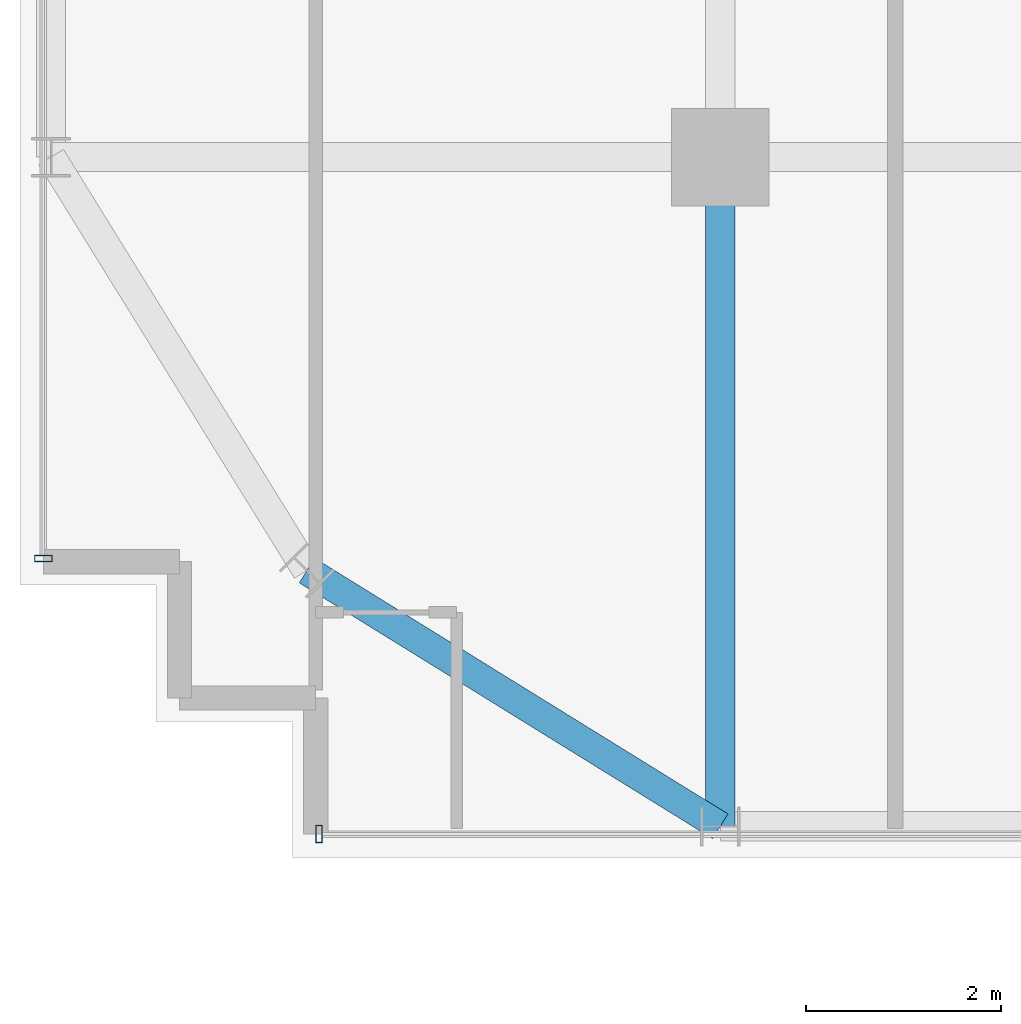
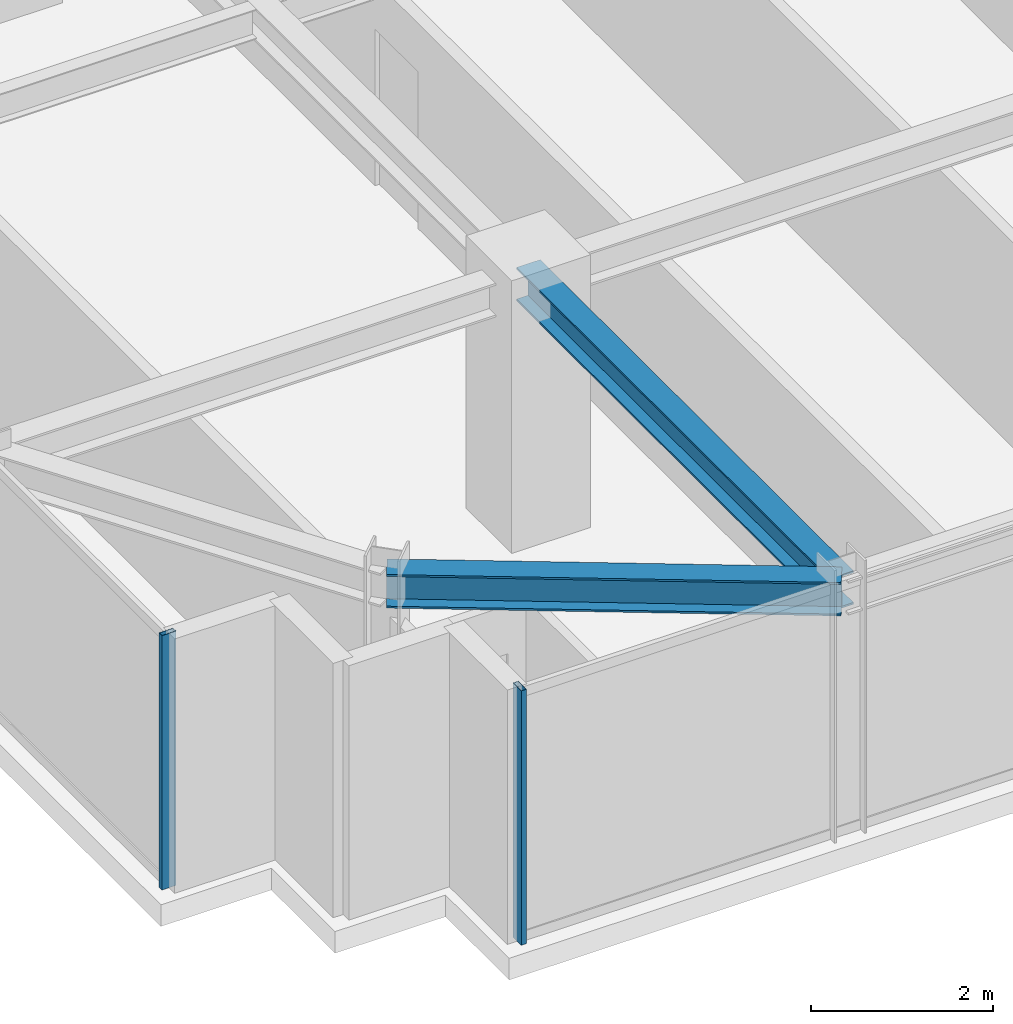
# One storey, part 3 of 34: 2 beams, 2 members, 2 elements without a shape of their own.
"""IFC4 building model written with IfcOpenShell, lengths in metres."""

from ifc_helpers import new_model, si_unit, direction, frame, origin, origin_2d, place, context, subcontext, project, spatial, hollow_rectangle, i_section, extrude, source, transform, mapped, material, material_profile, profile_set, type_object, element, aggregate, save


model = new_model("IFC4")

# Units and contexts
model_context = context("Model", 3, precision=1e-05, world=origin(), true_north=direction((0.0, 1.0)))
body_context = subcontext(model_context, "Body", "Model", "MODEL_VIEW")
ifc_project = project(units=[si_unit("LENGTHUNIT", "METRE"), si_unit("AREAUNIT", "SQUARE_METRE"), si_unit("VOLUMEUNIT", "CUBIC_METRE"), si_unit("PLANEANGLEUNIT", "RADIAN"), si_unit("MASSUNIT", "GRAM", prefix="KILO")], contexts=[model_context])

# Site, building, storey
site_placement = place(None, origin())
site = spatial("IfcSite", under=ifc_project, at=site_placement, CompositionType="ELEMENT")
building_placement = place(site_placement, origin())
building = spatial("IfcBuilding", under=site, at=building_placement, Name="Nahalor Promenade Grand Hotel", CompositionType="ELEMENT")
storey_placement = place(building_placement, frame((0.0, 0.0, 208.60009765625)))
storey = spatial("IfcBuildingStorey", under=building, at=storey_placement, Name="L53", CompositionType="ELEMENT", Elevation=208.60009765625)

# Beams
ifc_material_1 = material(Name="Steel S355JR", Category="steel")
ifc_material_profile_1 = material_profile(ifc_material_1, i_section(OverallWidth=0.3, OverallDepth=0.45, WebThickness=0.014, FlangeThickness=0.026, at=origin_2d()), Name="HEB 450")
ifc_profile_set_1 = profile_set([ifc_material_profile_1], Name="Steel S355JR")
beam_type_1 = type_object("IfcBeamType", Name="Beam-Spandrel-HEB450", PredefinedType="SPANDREL", material=ifc_profile_set_1)
shared_shape_1 = source(origin(), body_context, "Body", "SweptSolid", [
    extrude(i_section(OverallWidth=0.3, OverallDepth=0.45, WebThickness=0.014, FlangeThickness=0.026, at=origin_2d()), origin(), (0.0, 0.0, 1.0), 4.997802734375),
])
beam_1_placement = place(storey_placement, frame((-17.0, -23.8798828125, 3.184814453125), z_axis=(-0.850360908404, 0.526199891161, 0.0), x_axis=(-0.526199891161, -0.850360908404, 0.0)))
element("IfcBeam", 1, at=beam_1_placement, inside=storey, type_object=beam_type_1, Name="BM-L53-SPC-SW-1", PredefinedType="SPANDREL", context=body_context, shape_type="MappedRepresentation", body=[
    mapped(shared_shape_1, transform((0.0, 0.0, 0.0), scale=1.0)),
])
ifc_material_profile_2 = material_profile(ifc_material_1, i_section(OverallWidth=0.3, OverallDepth=0.45, WebThickness=0.014, FlangeThickness=0.026, at=origin_2d()), Name="HEB 450")
ifc_profile_set_2 = profile_set([ifc_material_profile_2], Name="Steel S355JR")
beam_type_2 = type_object("IfcBeamType", Name="Beam-Girder-HEB450", PredefinedType="BEAM", material=ifc_profile_set_2)
shared_shape_2 = source(origin(), body_context, "Body", "SweptSolid", [
    extrude(i_section(OverallWidth=0.3, OverallDepth=0.45, WebThickness=0.014, FlangeThickness=0.026, at=origin_2d()), origin(), (0.0, 0.0, 1.0), 6.8798828125),
])
beam_2_placement = place(storey_placement, frame((-17.0, -23.8798828125, 3.184814453125), z_axis=(0.0, 1.0, 0.0), x_axis=(-1.0, 0.0, 0.0)))
element("IfcBeam", 2, at=beam_2_placement, inside=storey, type_object=beam_type_2, Name="BM-L53-GY-0-0", PredefinedType="BEAM", context=body_context, shape_type="MappedRepresentation", body=[
    mapped(shared_shape_2, transform((0.0, 0.0, 0.0), scale=1.0)),
])

# Curtain wall, member
ifc_material_2 = material(Name="Anodised Bronze Aluminium EN AW-6063 T6", Category="aluminium")
curtain_wall_type = type_object("IfcCurtainWallType", Name="CW2 Typical Hotel Flush Bronze Unitised Curtain Wall", PredefinedType="USERDEFINED", material=ifc_material_2)
curtain_wall_1_placement = place(storey_placement, origin())
curtain_wall_1 = element("IfcCurtainWall", 3, at=curtain_wall_1_placement, inside=storey, type_object=curtain_wall_type, Name="L53 Curtain Wall CW-L53-S-1", ObjectType="UNITISED_CURTAIN_WALL", PredefinedType="USERDEFINED")
ifc_material_profile_3 = material_profile(ifc_material_2, hollow_rectangle(XDim=0.065, YDim=0.18, WallThickness=0.004, at=origin_2d()), Name="CWM 65x180x4")
ifc_profile_set_3 = profile_set([ifc_material_profile_3], Name="Anodised Bronze Aluminium EN AW-6063 T6")
member_type = type_object("IfcMemberType", Name="CWM2 Typical Bronze Mullion 65x180", PredefinedType="MULLION", material=ifc_profile_set_3)
shared_shape_3 = source(origin(), body_context, "Body", "SweptSolid", [
    extrude(hollow_rectangle(XDim=0.065, YDim=0.18, WallThickness=0.004, at=origin_2d()), origin(), (0.0, 0.0, 1.0), 3.409912109375),
])
member_1_placement = place(storey_placement, frame((-21.12744140625, -23.9599609375, 0.0), z_axis=(0.0, 0.0, 1.0), x_axis=(1.0, 0.0, 0.0)))
member_1 = element("IfcMember", 4, at=member_1_placement, type_object=member_type, Name="CW-L53-S-1 Mullion 0", PredefinedType="MULLION", context=body_context, shape_type="MappedRepresentation", body=[
    mapped(shared_shape_3, transform((0.0, 0.0, 0.0), scale=1.0)),
])
aggregate(curtain_wall_1, [member_1])

curtain_wall_2_placement = place(storey_placement, origin())
curtain_wall_2 = element("IfcCurtainWall", 5, at=curtain_wall_2_placement, inside=storey, type_object=curtain_wall_type, Name="L53 Curtain Wall CW-L53-W-1", ObjectType="UNITISED_CURTAIN_WALL", PredefinedType="USERDEFINED")
member_2_placement = place(storey_placement, frame((-23.9599609375, -21.12744140625, 0.0), z_axis=(0.0, 0.0, 1.0), x_axis=(0.0, 1.0, 0.0)))
member_2 = element("IfcMember", 6, at=member_2_placement, type_object=member_type, Name="CW-L53-W-1 Mullion 0", PredefinedType="MULLION", context=body_context, shape_type="MappedRepresentation", body=[
    mapped(shared_shape_3, transform((0.0, 0.0, 0.0), scale=1.0)),
])
aggregate(curtain_wall_2, [member_2])

save(model, "model.ifc")
